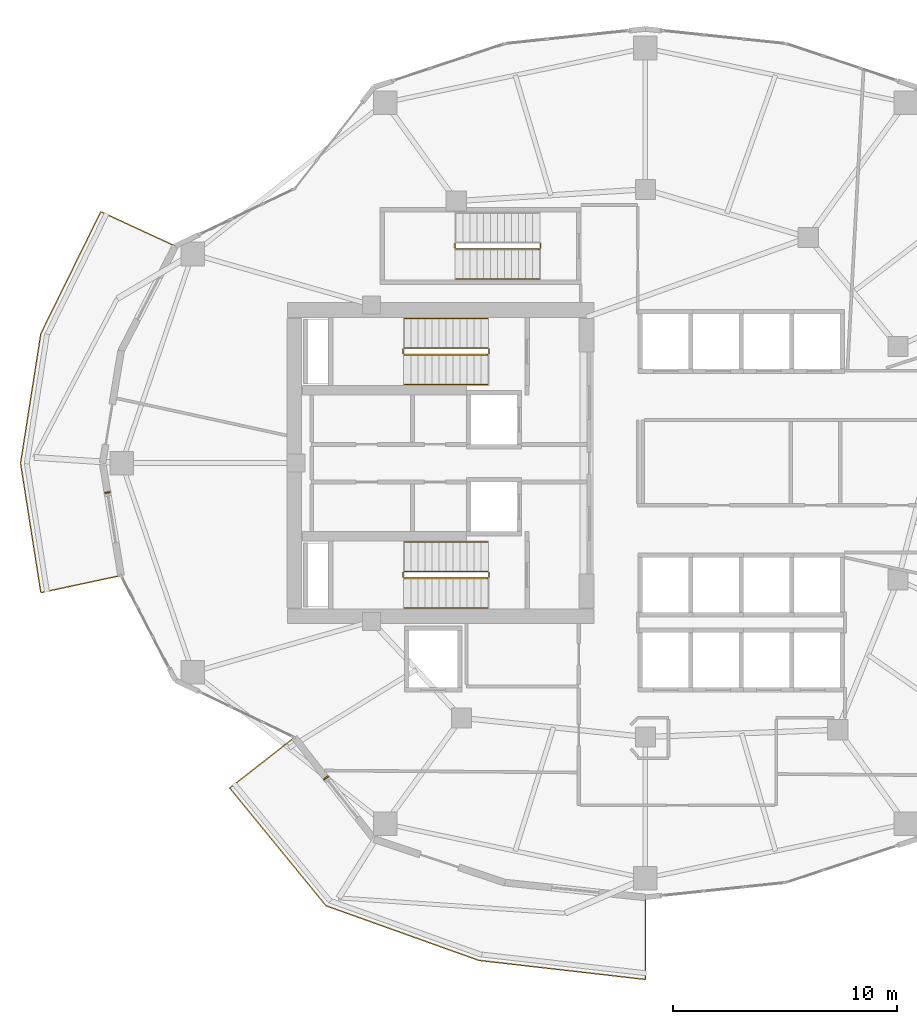
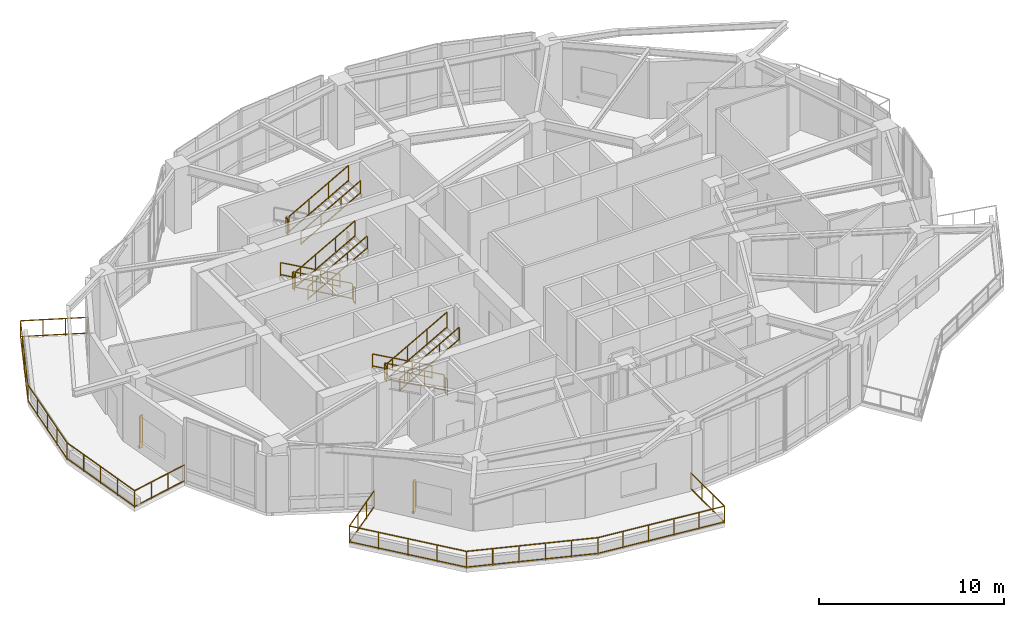
# One storey, part 14 of 16: 18 railings, 2 shading devices.
"""IFC4 building model written with IfcOpenShell, lengths in metres."""

import ifcopenshell
import ifcopenshell.guid

model = None  # the IFC model being written
_history = None  # IfcOwnerHistory: only IFC2X3 demands one
_inside = {}  # id of a spatial element -> (the spatial element, [elements in it])
_under = {}  # id of a project, library or spatial element -> (it, [spatial elements below it])
_declared = {}  # id of a project -> (the project, [libraries it declares])
_typed = {}  # id of a type object -> (the type object, [elements of that type])
_made_of = {}  # id of a material, layer set ... -> (it, [elements and type objects made of it])


def new_model(schema):
    """Start an empty IFC model of exactly this schema.

    Asked for "IFC4X3", IfcOpenShell would pick the latest addendum, in which some entities
    have other attributes; the version numbers below select the first issue.
    IFC2X3 requires an IfcOwnerHistory on every rooted entity: one is made here for all.
    """
    global model, _history
    if schema == "IFC4X3":
        model = ifcopenshell.file(schema_version=(4, 3, 0, 0))
    else:
        model = ifcopenshell.file(schema=schema)
    _inside.clear()
    _under.clear()
    _declared.clear()
    _typed.clear()
    _made_of.clear()
    _history = None
    if model.schema == "IFC2X3":
        org = make("IfcOrganization", Name="unknown")
        user = make(
            "IfcPersonAndOrganization",
            ThePerson=make("IfcPerson", FamilyName="unknown"),
            TheOrganization=org,
        )
        app = make(
            "IfcApplication",
            ApplicationDeveloper=org,
            Version="unknown",
            ApplicationFullName="unknown",
            ApplicationIdentifier="unknown",
        )
        _history = make(
            "IfcOwnerHistory",
            OwningUser=user,
            OwningApplication=app,
            ChangeAction="ADDED",
            CreationDate=0,
        )
    return model


def make(cls, **values):
    """One entity of the class cls with the attributes given. An attribute that is None is left unset."""
    return model.create_entity(
        cls, **{name: value for name, value in values.items() if value is not None}
    )


def rooted(cls, **values):
    """An entity with a GlobalId (a new one), such as an element, a storey or a relation."""
    return make(cls, GlobalId=ifcopenshell.guid.new(), OwnerHistory=_history, **values)


def si_unit(unit_type, name, prefix=None):
    """IfcSIUnit, for example si_unit("LENGTHUNIT", "METRE", prefix="MILLI")."""
    return make("IfcSIUnit", UnitType=unit_type, Prefix=prefix, Name=name)


def assignment(units):
    """IfcUnitAssignment: the units of a project."""
    return None if units is None else make("IfcUnitAssignment", Units=units)


def point(xyz):
    """IfcCartesianPoint."""
    return None if xyz is None else make("IfcCartesianPoint", Coordinates=xyz)


def direction(xyz):
    """IfcDirection."""
    return None if xyz is None else make("IfcDirection", DirectionRatios=xyz)


def frame(location, z_axis=None, x_axis=None):
    """IfcAxis2Placement3D, a coordinate frame: its origin and axes. An axis left out is left unset."""
    return make(
        "IfcAxis2Placement3D",
        Location=point(location),
        Axis=direction(z_axis),
        RefDirection=direction(x_axis),
    )


def frame_2d(location, x_axis=None):
    """IfcAxis2Placement2D, a coordinate frame in the plane: its origin and x axis."""
    return make(
        "IfcAxis2Placement2D", Location=point(location), RefDirection=direction(x_axis)
    )


def origin():
    """The frame at (0, 0, 0) with its axes left unset."""
    return frame((0.0, 0.0, 0.0))


def origin_2d():
    """The frame at (0, 0) in the plane with its x axis left unset."""
    return frame_2d((0.0, 0.0))


def place(relative_to, where):
    """IfcLocalPlacement: puts the frame where relative to a parent placement (None: the world)."""
    return make(
        "IfcLocalPlacement", PlacementRelTo=relative_to, RelativePlacement=where
    )


def context(
    kind, dimensions, precision=None, world=None, true_north=None, identifier=None
):
    """IfcGeometricRepresentationContext, for example the 3D "Model" context."""
    return make(
        "IfcGeometricRepresentationContext",
        ContextIdentifier=identifier,
        ContextType=kind,
        CoordinateSpaceDimension=dimensions,
        Precision=precision,
        WorldCoordinateSystem=world,
        TrueNorth=true_north,
    )


def subcontext(parent, identifier, kind, view, scale=None):
    """IfcGeometricRepresentationSubContext, for example "Body" below "Model"."""
    return make(
        "IfcGeometricRepresentationSubContext",
        ContextIdentifier=identifier,
        ContextType=kind,
        ParentContext=parent,
        TargetScale=scale,
        TargetView=view,
    )


def project(units=None, contexts=None):
    """IfcProject with its units and contexts."""
    return rooted(
        "IfcProject",
        Name="project",
        RepresentationContexts=contexts,
        UnitsInContext=assignment(units),
    )


def spatial(cls, under=None, at=None, **own):
    """A site, building, storey or space (cls), placed at a placement, below another one or the project."""
    s = rooted(cls, ObjectPlacement=at, **own)
    if under is not None:
        _under.setdefault(under.id(), (under, []))[1].append(s)
    return s


def profile(cls, at=None, kind="AREA", **sizes):
    """A parametric profile (cls). Its sizes go by their IFC names, for example OverallWidth=200.0."""
    return make(cls, ProfileType=kind, Position=at, **sizes)


def rectangle(**sizes):
    """IfcRectangleProfileDef."""
    return profile("IfcRectangleProfileDef", **sizes)


def extrude(swept, where, along, depth):
    """IfcExtrudedAreaSolid: the profile swept, set in the frame where, extruded along a direction by depth."""
    return make(
        "IfcExtrudedAreaSolid",
        SweptArea=swept,
        Position=where,
        ExtrudedDirection=direction(along),
        Depth=depth,
    )


def shape(context_of_items, identifier, shape_type, items):
    """IfcShapeRepresentation: the items that make up one representation, for example the "Body"."""
    return make(
        "IfcShapeRepresentation",
        ContextOfItems=context_of_items,
        RepresentationIdentifier=identifier,
        RepresentationType=shape_type,
        Items=items,
    )


def material(Name=None, Category=None):
    """IfcMaterial."""
    return make("IfcMaterial", Name=Name, Category=Category)


def made_of(thing, what):
    """Note that an element or type object is made of a material, layer set ...; save() writes the relation."""
    if what is not None:
        _made_of.setdefault(what.id(), (what, []))[1].append(thing)
    return thing


def type_object(cls, material=None, **own):
    """A type object (cls), such as IfcWallType, which elements share."""
    return made_of(rooted(cls, **own), material)


def element(
    cls,
    number,
    at=None,
    inside=None,
    cuts=None,
    type_object=None,
    material=None,
    context=None,
    identifier="Body",
    shape_type=None,
    held_by="IfcProductDefinitionShape",
    body=None,
    shapes=None,
    **own,
):
    """One element of the class cls, such as IfcWall. Its Tag is "e" and its number.

    at: its placement. inside: the storey or other place that contains it. cuts: it is an
    opening in that element (IfcRelVoidsElement). A single representation is given by context,
    identifier, shape_type and body (its items); several are given by shapes. held_by: the class
    of the entity that holds the representations. save() writes the other relations.
    """
    e = rooted(cls, Tag="e%d" % number, ObjectPlacement=at, **own)
    if body is not None:
        shapes = [shape(context, identifier, shape_type, body)]
    if shapes is not None:
        e.Representation = make(held_by, Representations=shapes)
    if inside is not None:
        _inside.setdefault(inside.id(), (inside, []))[1].append(e)
    if cuts is not None:
        rooted(
            "IfcRelVoidsElement", RelatingBuildingElement=cuts, RelatedOpeningElement=e
        )
    if type_object is not None:
        _typed.setdefault(type_object.id(), (type_object, []))[1].append(e)
    return made_of(e, material)


def aggregate(whole, parts):
    """IfcRelAggregates: a whole, such as a stair, and the parts it consists of."""
    return rooted("IfcRelAggregates", RelatingObject=whole, RelatedObjects=parts)


def save(model, path):
    """Write the relations noted so far, then the file.

    IfcRelAggregates (storeys below a building ...), IfcRelContainedInSpatialStructure (elements
    in a storey), IfcRelDefinesByType, IfcRelAssociatesMaterial and IfcRelDeclares: one each for
    every whole, place, type object, material and project.
    """
    for whole, parts in _under.values():
        aggregate(whole, parts)
    for where, things in _inside.values():
        rooted(
            "IfcRelContainedInSpatialStructure",
            RelatedElements=things,
            RelatingStructure=where,
        )
    for kind, things in _typed.values():
        rooted("IfcRelDefinesByType", RelatedObjects=things, RelatingType=kind)
    for what, things in _made_of.values():
        rooted("IfcRelAssociatesMaterial", RelatedObjects=things, RelatingMaterial=what)
    for by, libraries in _declared.values():
        rooted("IfcRelDeclares", RelatingContext=by, RelatedDefinitions=libraries)
    model.write(path)


model = new_model("IFC4")

# Units and contexts
model_context = context("Model", 3, precision=1e-05, world=origin(), true_north=direction((0.0, 1.0)))
body_context = subcontext(model_context, "Body", "Model", "MODEL_VIEW")
ifc_project = project(units=[si_unit("LENGTHUNIT", "METRE"), si_unit("AREAUNIT", "SQUARE_METRE"), si_unit("VOLUMEUNIT", "CUBIC_METRE"), si_unit("PLANEANGLEUNIT", "RADIAN"), si_unit("MASSUNIT", "GRAM", prefix="KILO")], contexts=[model_context])

# Site, building, storey
site_placement = place(None, origin())
site = spatial("IfcSite", under=ifc_project, at=site_placement, CompositionType="ELEMENT")
building_placement = place(site_placement, origin())
building = spatial("IfcBuilding", under=site, at=building_placement, Name="Kolvaren Gate Tower and Convention Centre", CompositionType="ELEMENT")
storey_placement = place(building_placement, frame((0.0, 0.0, 100.800048828125)))
storey = spatial("IfcBuildingStorey", under=building, at=storey_placement, Name="L24", CompositionType="ELEMENT", Elevation=100.800048828125)

# Railings
ifc_material_1 = material(Name="Brushed Stainless Steel Grade 316L", Category="steel")
railing_type_1 = type_object("IfcRailingType", Name="ARCH-RL-GUARD-1150", PredefinedType="GUARDRAIL", material=ifc_material_1)
railing_1_placement = place(storey_placement, frame((23.10009765625, 32.1298828125, 0.173095703125)))
element("IfcRailing", 1, at=railing_1_placement, inside=storey, type_object=railing_type_1, Name="L24 ST-T1 stair guard 1", PredefinedType="GUARDRAIL", context=body_context, shape_type="SweptSolid", body=[
    extrude(rectangle(XDim=0.048095703125, YDim=0.048095703125, at=origin_2d()), frame((0.0, 0.0, 1.076171875), z_axis=(-0.873147225507, 0.0, 0.487456585338), x_axis=(0.0, -1.0, 0.0)), (0.0, 0.0, 1.0), 4.2607421875),
    extrude(rectangle(XDim=0.048095703125, YDim=0.048095703125, at=origin_2d()), frame((0.0, 0.0, 0.083984375), z_axis=(-0.873147225507, 0.0, 0.487456585338), x_axis=(0.0, -1.0, 0.0)), (0.0, 0.0, 1.0), 4.2607421875),
    extrude(rectangle(XDim=0.0419921875, YDim=0.0419921875, at=origin_2d()), origin(), (0.0, 0.0, 1.0), 1.050048828125),
    extrude(rectangle(XDim=0.0419921875, YDim=0.0419921875, at=origin_2d()), frame((-3.72021484375, 0.0, 2.076904296875)), (0.0, 0.0, 1.0), 1.050048828125),
    extrude(rectangle(XDim=0.0419921875, YDim=0.0419921875, at=origin_2d()), frame((-1.239990234375, 0.0, 0.6923828125)), (0.0, 0.0, 1.0), 1.050048828125),
    extrude(rectangle(XDim=0.0419921875, YDim=0.0419921875, at=origin_2d()), frame((-2.480224609375, 0.0, 1.384521484375)), (0.0, 0.0, 1.0), 1.050048828125),
])
railing_2_placement = place(storey_placement, frame((19.330078125, 32.080078125, 2.25)))
element("IfcRailing", 2, at=railing_2_placement, inside=storey, type_object=railing_type_1, Name="L24 ST-T1 stair guard 2", PredefinedType="GUARDRAIL", context=body_context, shape_type="SweptSolid", body=[
    extrude(rectangle(XDim=0.048095703125, YDim=0.048095703125, at=origin_2d()), frame((0.0, 0.0, 1.076171875), z_axis=(0.0, -1.0, 0.0), x_axis=(1.0, 0.0, 0.0)), (0.0, 0.0, 1.0), 0.2001953125),
    extrude(rectangle(XDim=0.048095703125, YDim=0.048095703125, at=origin_2d()), frame((0.0, 0.0, 0.083984375), z_axis=(0.0, -1.0, 0.0), x_axis=(1.0, 0.0, 0.0)), (0.0, 0.0, 1.0), 0.2001953125),
    extrude(rectangle(XDim=0.0419921875, YDim=0.0419921875, at=origin_2d()), origin(), (0.0, 0.0, 1.0), 1.050048828125),
    extrude(rectangle(XDim=0.0419921875, YDim=0.0419921875, at=origin_2d()), frame((0.0, -0.2001953125, 0.0)), (0.0, 0.0, 1.0), 1.050048828125),
])
railing_3_placement = place(storey_placement, frame((19.3798828125, 31.830078125, 2.423095703125)))
element("IfcRailing", 3, at=railing_3_placement, inside=storey, type_object=railing_type_1, Name="L24 ST-T1 stair guard 3", PredefinedType="GUARDRAIL", context=body_context, shape_type="SweptSolid", body=[
    extrude(rectangle(XDim=0.048095703125, YDim=0.048095703125, at=origin_2d()), frame((0.0, 0.0, 1.076171875), z_axis=(0.873147225507, 0.0, 0.487456585338), x_axis=(0.0, 1.0, 0.0)), (0.0, 0.0, 1.0), 4.2607421875),
    extrude(rectangle(XDim=0.048095703125, YDim=0.048095703125, at=origin_2d()), frame((0.0, 0.0, 0.083984375), z_axis=(0.873147225507, 0.0, 0.487456585338), x_axis=(0.0, 1.0, 0.0)), (0.0, 0.0, 1.0), 4.2607421875),
    extrude(rectangle(XDim=0.0419921875, YDim=0.0419921875, at=origin_2d()), origin(), (0.0, 0.0, 1.0), 1.050048828125),
    extrude(rectangle(XDim=0.0419921875, YDim=0.0419921875, at=origin_2d()), frame((3.72021484375, 0.0, 2.076904296875)), (0.0, 0.0, 1.0), 1.050048828125),
    extrude(rectangle(XDim=0.0419921875, YDim=0.0419921875, at=origin_2d()), frame((1.239990234375, 0.0, 0.6923828125)), (0.0, 0.0, 1.0), 1.050048828125),
    extrude(rectangle(XDim=0.0419921875, YDim=0.0419921875, at=origin_2d()), frame((2.480224609375, 0.0, 1.384521484375)), (0.0, 0.0, 1.0), 1.050048828125),
])
railing_4_placement = place(storey_placement, frame((23.14990234375, 32.080078125, 0.0)))
element("IfcRailing", 4, at=railing_4_placement, inside=storey, type_object=railing_type_1, Name="L24 ST-T1 stair guard 4", PredefinedType="GUARDRAIL", context=body_context, shape_type="SweptSolid", body=[
    extrude(rectangle(XDim=0.048095703125, YDim=0.048095703125, at=origin_2d()), frame((0.0, 0.0, 1.076171875), z_axis=(0.0, -1.0, 0.0), x_axis=(1.0, 0.0, 0.0)), (0.0, 0.0, 1.0), 0.2001953125),
    extrude(rectangle(XDim=0.048095703125, YDim=0.048095703125, at=origin_2d()), frame((0.0, 0.0, 0.083984375), z_axis=(0.0, -1.0, 0.0), x_axis=(1.0, 0.0, 0.0)), (0.0, 0.0, 1.0), 0.2001953125),
    extrude(rectangle(XDim=0.0419921875, YDim=0.0419921875, at=origin_2d()), origin(), (0.0, 0.0, 1.0), 1.050048828125),
    extrude(rectangle(XDim=0.0419921875, YDim=0.0419921875, at=origin_2d()), frame((0.0, -0.2001953125, 0.0)), (0.0, 0.0, 1.0), 1.050048828125),
])
railing_5_placement = place(storey_placement, frame((23.10009765625, 22.169921875, 0.173095703125)))
element("IfcRailing", 5, at=railing_5_placement, inside=storey, type_object=railing_type_1, Name="L24 ST-T2 stair guard 1", PredefinedType="GUARDRAIL", context=body_context, shape_type="SweptSolid", body=[
    extrude(rectangle(XDim=0.048095703125, YDim=0.048095703125, at=origin_2d()), frame((0.0, 0.0, 1.076171875), z_axis=(-0.873147225507, 0.0, 0.487456585338), x_axis=(0.0, -1.0, 0.0)), (0.0, 0.0, 1.0), 4.2607421875),
    extrude(rectangle(XDim=0.048095703125, YDim=0.048095703125, at=origin_2d()), frame((0.0, 0.0, 0.083984375), z_axis=(-0.873147225507, 0.0, 0.487456585338), x_axis=(0.0, -1.0, 0.0)), (0.0, 0.0, 1.0), 4.2607421875),
    extrude(rectangle(XDim=0.0419921875, YDim=0.0419921875, at=origin_2d()), origin(), (0.0, 0.0, 1.0), 1.050048828125),
    extrude(rectangle(XDim=0.0419921875, YDim=0.0419921875, at=origin_2d()), frame((-3.72021484375, 0.0, 2.076904296875)), (0.0, 0.0, 1.0), 1.050048828125),
    extrude(rectangle(XDim=0.0419921875, YDim=0.0419921875, at=origin_2d()), frame((-1.239990234375, 0.0, 0.6923828125)), (0.0, 0.0, 1.0), 1.050048828125),
    extrude(rectangle(XDim=0.0419921875, YDim=0.0419921875, at=origin_2d()), frame((-2.480224609375, 0.0, 1.384521484375)), (0.0, 0.0, 1.0), 1.050048828125),
])
railing_6_placement = place(storey_placement, frame((19.330078125, 22.1201171875, 2.25)))
element("IfcRailing", 6, at=railing_6_placement, inside=storey, type_object=railing_type_1, Name="L24 ST-T2 stair guard 2", PredefinedType="GUARDRAIL", context=body_context, shape_type="SweptSolid", body=[
    extrude(rectangle(XDim=0.048095703125, YDim=0.048095703125, at=origin_2d()), frame((0.0, 0.0, 1.076171875), z_axis=(0.0, -1.0, 0.0), x_axis=(1.0, 0.0, 0.0)), (0.0, 0.0, 1.0), 0.2001953125),
    extrude(rectangle(XDim=0.048095703125, YDim=0.048095703125, at=origin_2d()), frame((0.0, 0.0, 0.083984375), z_axis=(0.0, -1.0, 0.0), x_axis=(1.0, 0.0, 0.0)), (0.0, 0.0, 1.0), 0.2001953125),
    extrude(rectangle(XDim=0.0419921875, YDim=0.0419921875, at=origin_2d()), origin(), (0.0, 0.0, 1.0), 1.050048828125),
    extrude(rectangle(XDim=0.0419921875, YDim=0.0419921875, at=origin_2d()), frame((0.0, -0.2001953125, 0.0)), (0.0, 0.0, 1.0), 1.050048828125),
])
railing_7_placement = place(storey_placement, frame((19.3798828125, 21.8701171875, 2.423095703125)))
element("IfcRailing", 7, at=railing_7_placement, inside=storey, type_object=railing_type_1, Name="L24 ST-T2 stair guard 3", PredefinedType="GUARDRAIL", context=body_context, shape_type="SweptSolid", body=[
    extrude(rectangle(XDim=0.048095703125, YDim=0.048095703125, at=origin_2d()), frame((0.0, 0.0, 1.076171875), z_axis=(0.873147225507, 0.0, 0.487456585338), x_axis=(0.0, 1.0, 0.0)), (0.0, 0.0, 1.0), 4.2607421875),
    extrude(rectangle(XDim=0.048095703125, YDim=0.048095703125, at=origin_2d()), frame((0.0, 0.0, 0.083984375), z_axis=(0.873147225507, 0.0, 0.487456585338), x_axis=(0.0, 1.0, 0.0)), (0.0, 0.0, 1.0), 4.2607421875),
    extrude(rectangle(XDim=0.0419921875, YDim=0.0419921875, at=origin_2d()), origin(), (0.0, 0.0, 1.0), 1.050048828125),
    extrude(rectangle(XDim=0.0419921875, YDim=0.0419921875, at=origin_2d()), frame((3.72021484375, 0.0, 2.076904296875)), (0.0, 0.0, 1.0), 1.050048828125),
    extrude(rectangle(XDim=0.0419921875, YDim=0.0419921875, at=origin_2d()), frame((1.239990234375, 0.0, 0.6923828125)), (0.0, 0.0, 1.0), 1.050048828125),
    extrude(rectangle(XDim=0.0419921875, YDim=0.0419921875, at=origin_2d()), frame((2.480224609375, 0.0, 1.384521484375)), (0.0, 0.0, 1.0), 1.050048828125),
])
railing_8_placement = place(storey_placement, frame((23.14990234375, 22.1201171875, 0.0)))
element("IfcRailing", 8, at=railing_8_placement, inside=storey, type_object=railing_type_1, Name="L24 ST-T2 stair guard 4", PredefinedType="GUARDRAIL", context=body_context, shape_type="SweptSolid", body=[
    extrude(rectangle(XDim=0.048095703125, YDim=0.048095703125, at=origin_2d()), frame((0.0, 0.0, 1.076171875), z_axis=(0.0, -1.0, 0.0), x_axis=(1.0, 0.0, 0.0)), (0.0, 0.0, 1.0), 0.2001953125),
    extrude(rectangle(XDim=0.048095703125, YDim=0.048095703125, at=origin_2d()), frame((0.0, 0.0, 0.083984375), z_axis=(0.0, -1.0, 0.0), x_axis=(1.0, 0.0, 0.0)), (0.0, 0.0, 1.0), 0.2001953125),
    extrude(rectangle(XDim=0.0419921875, YDim=0.0419921875, at=origin_2d()), origin(), (0.0, 0.0, 1.0), 1.050048828125),
    extrude(rectangle(XDim=0.0419921875, YDim=0.0419921875, at=origin_2d()), frame((0.0, -0.2001953125, 0.0)), (0.0, 0.0, 1.0), 1.050048828125),
])
railing_9_placement = place(storey_placement, frame((21.6298828125, 36.780029296875, 2.25)))
element("IfcRailing", 9, at=railing_9_placement, inside=storey, type_object=railing_type_1, Name="L24 ST-T3 stair guard 2", PredefinedType="GUARDRAIL", context=body_context, shape_type="SweptSolid", body=[
    extrude(rectangle(XDim=0.048095703125, YDim=0.048095703125, at=origin_2d()), frame((0.0, 0.0, 1.076171875), z_axis=(0.0, -1.0, 0.0), x_axis=(1.0, 0.0, 0.0)), (0.0, 0.0, 1.0), 0.199951171875),
    extrude(rectangle(XDim=0.048095703125, YDim=0.048095703125, at=origin_2d()), frame((0.0, 0.0, 0.083984375), z_axis=(0.0, -1.0, 0.0), x_axis=(1.0, 0.0, 0.0)), (0.0, 0.0, 1.0), 0.199951171875),
    extrude(rectangle(XDim=0.0419921875, YDim=0.0419921875, at=origin_2d()), origin(), (0.0, 0.0, 1.0), 1.050048828125),
    extrude(rectangle(XDim=0.0419921875, YDim=0.0419921875, at=origin_2d()), frame((0.0, -0.199951171875, 0.0)), (0.0, 0.0, 1.0), 1.050048828125),
])
railing_10_placement = place(storey_placement, frame((21.679931640625, 36.530029296875, 2.423095703125)))
element("IfcRailing", 10, at=railing_10_placement, inside=storey, type_object=railing_type_1, Name="L24 ST-T3 stair guard 3", PredefinedType="GUARDRAIL", context=body_context, shape_type="SweptSolid", body=[
    extrude(rectangle(XDim=0.048095703125, YDim=0.048095703125, at=origin_2d()), frame((0.0, 0.0, 1.076171875), z_axis=(0.873133609054, 0.0, 0.487480974747), x_axis=(0.0, 1.0, 0.0)), (0.0, 0.0, 1.0), 4.260498046875),
    extrude(rectangle(XDim=0.048095703125, YDim=0.048095703125, at=origin_2d()), frame((0.0, 0.0, 0.083984375), z_axis=(0.873133609054, 0.0, 0.487480974747), x_axis=(0.0, 1.0, 0.0)), (0.0, 0.0, 1.0), 4.260498046875),
    extrude(rectangle(XDim=0.0419921875, YDim=0.0419921875, at=origin_2d()), origin(), (0.0, 0.0, 1.0), 1.050048828125),
    extrude(rectangle(XDim=0.0419921875, YDim=0.0419921875, at=origin_2d()), frame((3.719970703125, 0.0, 2.076904296875)), (0.0, 0.0, 1.0), 1.050048828125),
    extrude(rectangle(XDim=0.0419921875, YDim=0.0419921875, at=origin_2d()), frame((1.239990234375, 0.0, 0.6923828125)), (0.0, 0.0, 1.0), 1.050048828125),
    extrude(rectangle(XDim=0.0419921875, YDim=0.0419921875, at=origin_2d()), frame((2.47998046875, 0.0, 1.384521484375)), (0.0, 0.0, 1.0), 1.050048828125),
])
railing_11_placement = place(storey_placement, frame((25.449951171875, 36.780029296875, 0.0)))
element("IfcRailing", 11, at=railing_11_placement, inside=storey, type_object=railing_type_1, Name="L24 ST-T3 stair guard 4", PredefinedType="GUARDRAIL", context=body_context, shape_type="SweptSolid", body=[
    extrude(rectangle(XDim=0.048095703125, YDim=0.048095703125, at=origin_2d()), frame((0.0, 0.0, 1.076171875), z_axis=(0.0, -1.0, 0.0), x_axis=(1.0, 0.0, 0.0)), (0.0, 0.0, 1.0), 0.199951171875),
    extrude(rectangle(XDim=0.048095703125, YDim=0.048095703125, at=origin_2d()), frame((0.0, 0.0, 0.083984375), z_axis=(0.0, -1.0, 0.0), x_axis=(1.0, 0.0, 0.0)), (0.0, 0.0, 1.0), 0.199951171875),
    extrude(rectangle(XDim=0.0419921875, YDim=0.0419921875, at=origin_2d()), origin(), (0.0, 0.0, 1.0), 1.050048828125),
    extrude(rectangle(XDim=0.0419921875, YDim=0.0419921875, at=origin_2d()), frame((0.0, -0.199951171875, 0.0)), (0.0, 0.0, 1.0), 1.050048828125),
])
railing_12_placement = place(storey_placement, frame((9.177978515625, 36.675048828125, 0.0)))
element("IfcRailing", 12, at=railing_12_placement, inside=storey, type_object=railing_type_1, Name="Tower L24 Terrace Perimeter Guardrail GR-2", PredefinedType="GUARDRAIL", context=body_context, shape_type="SweptSolid", body=[
    extrude(rectangle(XDim=0.048095703125, YDim=0.048095703125, at=origin_2d()), frame((-0.025390625, 0.01171875, 1.1259765625), z_axis=(-0.907846116663, 0.419303503993, 0.0), x_axis=(-0.419303503993, -0.907846116663, 0.0)), (0.0, 0.0, 1.0), 3.60400390625),
    extrude(rectangle(XDim=0.048095703125, YDim=0.048095703125, at=origin_2d()), frame((-0.025390625, 0.01171875, 0.083984375), z_axis=(-0.907846116663, 0.419303503993, 0.0), x_axis=(-0.419303503993, -0.907846116663, 0.0)), (0.0, 0.0, 1.0), 3.60400390625),
    extrude(rectangle(XDim=0.048095703125, YDim=0.048095703125, at=origin_2d()), frame((-3.335205078125, 1.509521484375, 1.1259765625), z_axis=(-0.441237167293, -0.897390529368, 0.0), x_axis=(0.897390529368, -0.441237167293, 0.0)), (0.0, 0.0, 1.0), 5.999755859375),
    extrude(rectangle(XDim=0.048095703125, YDim=0.048095703125, at=origin_2d()), frame((-3.335205078125, 1.509521484375, 0.083984375), z_axis=(-0.441237167293, -0.897390529368, 0.0), x_axis=(0.897390529368, -0.441237167293, 0.0)), (0.0, 0.0, 1.0), 5.999755859375),
    extrude(rectangle(XDim=0.048095703125, YDim=0.048095703125, at=origin_2d()), frame((-5.999267578125, -3.927490234375, 1.1259765625), z_axis=(-0.154903030247, -0.987929679289, 0.0), x_axis=(0.987929679289, -0.154903030247, 0.0)), (0.0, 0.0, 1.0), 5.78955078125),
    extrude(rectangle(XDim=0.048095703125, YDim=0.048095703125, at=origin_2d()), frame((-5.999267578125, -3.927490234375, 0.083984375), z_axis=(-0.154903030247, -0.987929679289, 0.0), x_axis=(0.987929679289, -0.154903030247, 0.0)), (0.0, 0.0, 1.0), 5.78955078125),
    extrude(rectangle(XDim=0.048095703125, YDim=0.048095703125, at=origin_2d()), frame((-6.89599609375, -9.70263671875, 1.1259765625), z_axis=(0.154903030247, -0.987929679289, 0.0), x_axis=(0.987929679289, 0.154903030247, 0.0)), (0.0, 0.0, 1.0), 5.78955078125),
    extrude(rectangle(XDim=0.048095703125, YDim=0.048095703125, at=origin_2d()), frame((-6.89599609375, -9.70263671875, 0.083984375), z_axis=(0.154903030247, -0.987929679289, 0.0), x_axis=(0.987929679289, 0.154903030247, 0.0)), (0.0, 0.0, 1.0), 5.78955078125),
    extrude(rectangle(XDim=0.048095703125, YDim=0.048095703125, at=origin_2d()), frame((-5.967529296875, -15.4443359375, 1.1259765625), z_axis=(0.977788745232, 0.209592866525, 0.0), x_axis=(-0.209592866525, 0.977788745232, 0.0)), (0.0, 0.0, 1.0), 3.603759765625),
    extrude(rectangle(XDim=0.048095703125, YDim=0.048095703125, at=origin_2d()), frame((-5.967529296875, -15.4443359375, 0.083984375), z_axis=(0.977788745232, 0.209592866525, 0.0), x_axis=(-0.209592866525, 0.977788745232, 0.0)), (0.0, 0.0, 1.0), 3.603759765625),
    extrude(rectangle(XDim=0.0419921875, YDim=0.0419921875, at=origin_2d()), origin(), (0.0, 0.0, 1.0), 1.14990234375),
    extrude(rectangle(XDim=0.0419921875, YDim=0.0419921875, at=origin_2d()), frame((-3.32275390625, 1.53466796875, 0.0)), (0.0, 0.0, 1.0), 1.14990234375),
    extrude(rectangle(XDim=0.0419921875, YDim=0.0419921875, at=origin_2d()), frame((-1.107666015625, 0.511474609375, 0.0)), (0.0, 0.0, 1.0), 1.099853515625),
    extrude(rectangle(XDim=0.0419921875, YDim=0.0419921875, at=origin_2d()), frame((-2.215087890625, 1.023193359375, 0.0)), (0.0, 0.0, 1.0), 1.099853515625),
    extrude(rectangle(XDim=0.0419921875, YDim=0.0419921875, at=origin_2d()), frame((-5.994873046875, -3.89990234375, 0.0)), (0.0, 0.0, 1.0), 1.14990234375),
    extrude(rectangle(XDim=0.0419921875, YDim=0.0419921875, at=origin_2d()), frame((-3.99072265625, 0.176025390625, 0.0)), (0.0, 0.0, 1.0), 1.099853515625),
    extrude(rectangle(XDim=0.0419921875, YDim=0.0419921875, at=origin_2d()), frame((-4.65869140625, -1.1826171875, 0.0)), (0.0, 0.0, 1.0), 1.099853515625),
    extrude(rectangle(XDim=0.0419921875, YDim=0.0419921875, at=origin_2d()), frame((-5.326904296875, -2.541259765625, 0.0)), (0.0, 0.0, 1.0), 1.099853515625),
    extrude(rectangle(XDim=0.0419921875, YDim=0.0419921875, at=origin_2d()), frame((-6.900390625, -9.675048828125, 0.0)), (0.0, 0.0, 1.0), 1.14990234375),
    extrude(rectangle(XDim=0.0419921875, YDim=0.0419921875, at=origin_2d()), frame((-6.22119140625, -5.34375, 0.0)), (0.0, 0.0, 1.0), 1.099853515625),
    extrude(rectangle(XDim=0.0419921875, YDim=0.0419921875, at=origin_2d()), frame((-6.44775390625, -6.78759765625, 0.0)), (0.0, 0.0, 1.0), 1.099853515625),
    extrude(rectangle(XDim=0.0419921875, YDim=0.0419921875, at=origin_2d()), frame((-6.674072265625, -8.231201171875, 0.0)), (0.0, 0.0, 1.0), 1.099853515625),
    extrude(rectangle(XDim=0.0419921875, YDim=0.0419921875, at=origin_2d()), frame((-5.994873046875, -15.4501953125, 0.0)), (0.0, 0.0, 1.0), 1.14990234375),
    extrude(rectangle(XDim=0.0419921875, YDim=0.0419921875, at=origin_2d()), frame((-6.674072265625, -11.118896484375, 0.0)), (0.0, 0.0, 1.0), 1.099853515625),
    extrude(rectangle(XDim=0.0419921875, YDim=0.0419921875, at=origin_2d()), frame((-6.44775390625, -12.5625, 0.0)), (0.0, 0.0, 1.0), 1.099853515625),
    extrude(rectangle(XDim=0.0419921875, YDim=0.0419921875, at=origin_2d()), frame((-6.22119140625, -14.00634765625, 0.0)), (0.0, 0.0, 1.0), 1.099853515625),
    extrude(rectangle(XDim=0.0419921875, YDim=0.0419921875, at=origin_2d()), frame((-2.416259765625, -14.68310546875, 0.0)), (0.0, 0.0, 1.0), 1.14990234375),
    extrude(rectangle(XDim=0.0419921875, YDim=0.0419921875, at=origin_2d()), frame((-4.802001953125, -15.194580078125, 0.0)), (0.0, 0.0, 1.0), 1.099853515625),
    extrude(rectangle(XDim=0.0419921875, YDim=0.0419921875, at=origin_2d()), frame((-3.609130859375, -14.938720703125, 0.0)), (0.0, 0.0, 1.0), 1.099853515625),
])
railing_13_placement = place(storey_placement, frame((14.481201171875, 14.777099609375, 0.0)))
element("IfcRailing", 13, at=railing_13_placement, inside=storey, type_object=railing_type_1, Name="Tower L24 Terrace Perimeter Guardrail GR-3", PredefinedType="GUARDRAIL", context=body_context, shape_type="SweptSolid", body=[
    extrude(rectangle(XDim=0.048095703125, YDim=0.048095703125, at=origin_2d()), frame((-0.022216796875, -0.017333984375, 1.1259765625), z_axis=(-0.787963688807, -0.615721710776, 0.0), x_axis=(0.615721710776, -0.787963688807, 0.0)), (0.0, 0.0, 1.0), 3.603759765625),
    extrude(rectangle(XDim=0.048095703125, YDim=0.048095703125, at=origin_2d()), frame((-0.022216796875, -0.017333984375, 0.083984375), z_axis=(-0.787963688807, -0.615721710776, 0.0), x_axis=(0.615721710776, -0.787963688807, 0.0)), (0.0, 0.0, 1.0), 3.603759765625),
    extrude(rectangle(XDim=0.048095703125, YDim=0.048095703125, at=origin_2d()), frame((-2.865966796875, -2.275146484375, 1.1259765625), z_axis=(0.633002467947, -0.77414977593, 0.0), x_axis=(0.77414977593, 0.633002467947, 0.0)), (0.0, 0.0, 1.0), 6.724365234375),
    extrude(rectangle(XDim=0.048095703125, YDim=0.048095703125, at=origin_2d()), frame((-2.865966796875, -2.275146484375, 0.083984375), z_axis=(0.633002467947, -0.77414977593, 0.0), x_axis=(0.77414977593, 0.633002467947, 0.0)), (0.0, 0.0, 1.0), 6.724365234375),
    extrude(rectangle(XDim=0.048095703125, YDim=0.048095703125, at=origin_2d()), frame((1.4345703125, -7.511962890625, 1.1259765625), z_axis=(0.941628873241, -0.336652736627, 0.0), x_axis=(0.336652736627, 0.941628873241, 0.0)), (0.0, 0.0, 1.0), 7.17919921875),
    extrude(rectangle(XDim=0.048095703125, YDim=0.048095703125, at=origin_2d()), frame((1.4345703125, -7.511962890625, 0.083984375), z_axis=(0.941628873241, -0.336652736627, 0.0), x_axis=(0.336652736627, 0.941628873241, 0.0)), (0.0, 0.0, 1.0), 7.17919921875),
    extrude(rectangle(XDim=0.048095703125, YDim=0.048095703125, at=origin_2d()), frame((8.2490234375, -9.94140625, 1.1259765625), z_axis=(0.993523927361, -0.113623086387, 0.0), x_axis=(0.113623086387, 0.993523927361, 0.0)), (0.0, 0.0, 1.0), 7.414794921875),
    extrude(rectangle(XDim=0.048095703125, YDim=0.048095703125, at=origin_2d()), frame((8.2490234375, -9.94140625, 0.083984375), z_axis=(0.993523927361, -0.113623086387, 0.0), x_axis=(0.113623086387, 0.993523927361, 0.0)), (0.0, 0.0, 1.0), 7.414794921875),
    extrude(rectangle(XDim=0.048095703125, YDim=0.048095703125, at=origin_2d()), frame((15.643798828125, -10.759033203125, 1.1259765625), z_axis=(0.0, 1.0, 0.0), x_axis=(-1.0, 0.0, 0.0)), (0.0, 0.0, 1.0), 3.603759765625),
    extrude(rectangle(XDim=0.048095703125, YDim=0.048095703125, at=origin_2d()), frame((15.643798828125, -10.759033203125, 0.083984375), z_axis=(0.0, 1.0, 0.0), x_axis=(-1.0, 0.0, 0.0)), (0.0, 0.0, 1.0), 3.603759765625),
    extrude(rectangle(XDim=0.0419921875, YDim=0.0419921875, at=origin_2d()), origin(), (0.0, 0.0, 1.0), 1.14990234375),
    extrude(rectangle(XDim=0.0419921875, YDim=0.0419921875, at=origin_2d()), frame((-2.8837890625, -2.25341796875, 0.0)), (0.0, 0.0, 1.0), 1.14990234375),
    extrude(rectangle(XDim=0.0419921875, YDim=0.0419921875, at=origin_2d()), frame((-0.961181640625, -0.751220703125, 0.0)), (0.0, 0.0, 1.0), 1.099853515625),
    extrude(rectangle(XDim=0.0419921875, YDim=0.0419921875, at=origin_2d()), frame((-1.922607421875, -1.502197265625, 0.0)), (0.0, 0.0, 1.0), 1.099853515625),
    extrude(rectangle(XDim=0.0419921875, YDim=0.0419921875, at=origin_2d()), frame((1.408203125, -7.50244140625, 0.0)), (0.0, 0.0, 1.0), 1.14990234375),
    extrude(rectangle(XDim=0.0419921875, YDim=0.0419921875, at=origin_2d()), frame((-1.810791015625, -3.565673828125, 0.0)), (0.0, 0.0, 1.0), 1.099853515625),
    extrude(rectangle(XDim=0.0419921875, YDim=0.0419921875, at=origin_2d()), frame((-0.73779296875, -4.8779296875, 0.0)), (0.0, 0.0, 1.0), 1.099853515625),
    extrude(rectangle(XDim=0.0419921875, YDim=0.0419921875, at=origin_2d()), frame((0.335205078125, -6.190185546875, 0.0)), (0.0, 0.0, 1.0), 1.099853515625),
    extrude(rectangle(XDim=0.0419921875, YDim=0.0419921875, at=origin_2d()), frame((8.22119140625, -9.938232421875, 0.0)), (0.0, 0.0, 1.0), 1.14990234375),
    extrude(rectangle(XDim=0.0419921875, YDim=0.0419921875, at=origin_2d()), frame((2.770751953125, -7.989501953125, 0.0)), (0.0, 0.0, 1.0), 1.099853515625),
    extrude(rectangle(XDim=0.0419921875, YDim=0.0419921875, at=origin_2d()), frame((4.13330078125, -8.476806640625, 0.0)), (0.0, 0.0, 1.0), 1.099853515625),
    extrude(rectangle(XDim=0.0419921875, YDim=0.0419921875, at=origin_2d()), frame((5.49609375, -8.9638671875, 0.0)), (0.0, 0.0, 1.0), 1.099853515625),
    extrude(rectangle(XDim=0.0419921875, YDim=0.0419921875, at=origin_2d()), frame((6.858642578125, -9.451171875, 0.0)), (0.0, 0.0, 1.0), 1.099853515625),
    extrude(rectangle(XDim=0.0419921875, YDim=0.0419921875, at=origin_2d()), frame((15.643798828125, -10.787109375, 0.0)), (0.0, 0.0, 1.0), 1.14990234375),
    extrude(rectangle(XDim=0.0419921875, YDim=0.0419921875, at=origin_2d()), frame((9.705810546875, -10.10791015625, 0.0)), (0.0, 0.0, 1.0), 1.099853515625),
    extrude(rectangle(XDim=0.0419921875, YDim=0.0419921875, at=origin_2d()), frame((11.190185546875, -10.27783203125, 0.0)), (0.0, 0.0, 1.0), 1.099853515625),
    extrude(rectangle(XDim=0.0419921875, YDim=0.0419921875, at=origin_2d()), frame((12.6748046875, -10.447509765625, 0.0)), (0.0, 0.0, 1.0), 1.099853515625),
    extrude(rectangle(XDim=0.0419921875, YDim=0.0419921875, at=origin_2d()), frame((14.1591796875, -10.617431640625, 0.0)), (0.0, 0.0, 1.0), 1.099853515625),
    extrude(rectangle(XDim=0.0419921875, YDim=0.0419921875, at=origin_2d()), frame((15.643798828125, -7.127197265625, 0.0)), (0.0, 0.0, 1.0), 1.14990234375),
    extrude(rectangle(XDim=0.0419921875, YDim=0.0419921875, at=origin_2d()), frame((15.643798828125, -9.567138671875, 0.0)), (0.0, 0.0, 1.0), 1.099853515625),
    extrude(rectangle(XDim=0.0419921875, YDim=0.0419921875, at=origin_2d()), frame((15.643798828125, -8.34716796875, 0.0)), (0.0, 0.0, 1.0), 1.099853515625),
])
railing_type_2 = type_object("IfcRailingType", Name="ARCH-RL-HANDRAIL-920", PredefinedType="HANDRAIL", material=ifc_material_1)
railing_14_placement = place(storey_placement, frame((23.10009765625, 33.449951171875, 0.173095703125)))
element("IfcRailing", 14, at=railing_14_placement, inside=storey, type_object=railing_type_2, Name="L24 ST-T1 stair handrail 1", PredefinedType="HANDRAIL", context=body_context, shape_type="SweptSolid", body=[
    extrude(rectangle(XDim=0.048095703125, YDim=0.048095703125, at=origin_2d()), frame((0.0, 0.0, 0.8759765625), z_axis=(-0.873147225507, 0.0, 0.487456585338), x_axis=(0.0, -1.0, 0.0)), (0.0, 0.0, 1.0), 4.2607421875),
    extrude(rectangle(XDim=0.048095703125, YDim=0.048095703125, at=origin_2d()), frame((0.0, 0.0, 0.083984375), z_axis=(-0.873147225507, 0.0, 0.487456585338), x_axis=(0.0, -1.0, 0.0)), (0.0, 0.0, 1.0), 4.2607421875),
    extrude(rectangle(XDim=0.0419921875, YDim=0.0419921875, at=origin_2d()), origin(), (0.0, 0.0, 1.0), 0.849853515625),
    extrude(rectangle(XDim=0.0419921875, YDim=0.0419921875, at=origin_2d()), frame((-3.72021484375, 0.0, 2.076904296875)), (0.0, 0.0, 1.0), 0.849853515625),
    extrude(rectangle(XDim=0.0419921875, YDim=0.0419921875, at=origin_2d()), frame((-1.239990234375, 0.0, 0.6923828125)), (0.0, 0.0, 1.0), 0.849853515625),
    extrude(rectangle(XDim=0.0419921875, YDim=0.0419921875, at=origin_2d()), frame((-2.480224609375, 0.0, 1.384521484375)), (0.0, 0.0, 1.0), 0.849853515625),
])
railing_15_placement = place(storey_placement, frame((19.3798828125, 30.510009765625, 2.423095703125)))
element("IfcRailing", 15, at=railing_15_placement, inside=storey, type_object=railing_type_2, Name="L24 ST-T1 stair handrail 2", PredefinedType="HANDRAIL", context=body_context, shape_type="SweptSolid", body=[
    extrude(rectangle(XDim=0.048095703125, YDim=0.048095703125, at=origin_2d()), frame((0.0, 0.0, 0.8759765625), z_axis=(0.873147225507, 0.0, 0.487456585338), x_axis=(0.0, 1.0, 0.0)), (0.0, 0.0, 1.0), 4.2607421875),
    extrude(rectangle(XDim=0.048095703125, YDim=0.048095703125, at=origin_2d()), frame((0.0, 0.0, 0.083984375), z_axis=(0.873147225507, 0.0, 0.487456585338), x_axis=(0.0, 1.0, 0.0)), (0.0, 0.0, 1.0), 4.2607421875),
    extrude(rectangle(XDim=0.0419921875, YDim=0.0419921875, at=origin_2d()), origin(), (0.0, 0.0, 1.0), 0.849853515625),
    extrude(rectangle(XDim=0.0419921875, YDim=0.0419921875, at=origin_2d()), frame((3.72021484375, 0.0, 2.076904296875)), (0.0, 0.0, 1.0), 0.849853515625),
    extrude(rectangle(XDim=0.0419921875, YDim=0.0419921875, at=origin_2d()), frame((1.239990234375, 0.0, 0.6923828125)), (0.0, 0.0, 1.0), 0.849853515625),
    extrude(rectangle(XDim=0.0419921875, YDim=0.0419921875, at=origin_2d()), frame((2.480224609375, 0.0, 1.384521484375)), (0.0, 0.0, 1.0), 0.849853515625),
])
railing_16_placement = place(storey_placement, frame((23.10009765625, 23.489990234375, 0.173095703125)))
element("IfcRailing", 16, at=railing_16_placement, inside=storey, type_object=railing_type_2, Name="L24 ST-T2 stair handrail 1", PredefinedType="HANDRAIL", context=body_context, shape_type="SweptSolid", body=[
    extrude(rectangle(XDim=0.048095703125, YDim=0.048095703125, at=origin_2d()), frame((0.0, 0.0, 0.8759765625), z_axis=(-0.873147225507, 0.0, 0.487456585338), x_axis=(0.0, -1.0, 0.0)), (0.0, 0.0, 1.0), 4.2607421875),
    extrude(rectangle(XDim=0.048095703125, YDim=0.048095703125, at=origin_2d()), frame((0.0, 0.0, 0.083984375), z_axis=(-0.873147225507, 0.0, 0.487456585338), x_axis=(0.0, -1.0, 0.0)), (0.0, 0.0, 1.0), 4.2607421875),
    extrude(rectangle(XDim=0.0419921875, YDim=0.0419921875, at=origin_2d()), origin(), (0.0, 0.0, 1.0), 0.849853515625),
    extrude(rectangle(XDim=0.0419921875, YDim=0.0419921875, at=origin_2d()), frame((-3.72021484375, 0.0, 2.076904296875)), (0.0, 0.0, 1.0), 0.849853515625),
    extrude(rectangle(XDim=0.0419921875, YDim=0.0419921875, at=origin_2d()), frame((-1.239990234375, 0.0, 0.6923828125)), (0.0, 0.0, 1.0), 0.849853515625),
    extrude(rectangle(XDim=0.0419921875, YDim=0.0419921875, at=origin_2d()), frame((-2.480224609375, 0.0, 1.384521484375)), (0.0, 0.0, 1.0), 0.849853515625),
])
railing_17_placement = place(storey_placement, frame((19.3798828125, 20.550048828125, 2.423095703125)))
element("IfcRailing", 17, at=railing_17_placement, inside=storey, type_object=railing_type_2, Name="L24 ST-T2 stair handrail 2", PredefinedType="HANDRAIL", context=body_context, shape_type="SweptSolid", body=[
    extrude(rectangle(XDim=0.048095703125, YDim=0.048095703125, at=origin_2d()), frame((0.0, 0.0, 0.8759765625), z_axis=(0.873147225507, 0.0, 0.487456585338), x_axis=(0.0, 1.0, 0.0)), (0.0, 0.0, 1.0), 4.2607421875),
    extrude(rectangle(XDim=0.048095703125, YDim=0.048095703125, at=origin_2d()), frame((0.0, 0.0, 0.083984375), z_axis=(0.873147225507, 0.0, 0.487456585338), x_axis=(0.0, 1.0, 0.0)), (0.0, 0.0, 1.0), 4.2607421875),
    extrude(rectangle(XDim=0.0419921875, YDim=0.0419921875, at=origin_2d()), origin(), (0.0, 0.0, 1.0), 0.849853515625),
    extrude(rectangle(XDim=0.0419921875, YDim=0.0419921875, at=origin_2d()), frame((3.72021484375, 0.0, 2.076904296875)), (0.0, 0.0, 1.0), 0.849853515625),
    extrude(rectangle(XDim=0.0419921875, YDim=0.0419921875, at=origin_2d()), frame((1.239990234375, 0.0, 0.6923828125)), (0.0, 0.0, 1.0), 0.849853515625),
    extrude(rectangle(XDim=0.0419921875, YDim=0.0419921875, at=origin_2d()), frame((2.480224609375, 0.0, 1.384521484375)), (0.0, 0.0, 1.0), 0.849853515625),
])
railing_18_placement = place(storey_placement, frame((21.679931640625, 35.2099609375, 2.423095703125)))
element("IfcRailing", 18, at=railing_18_placement, inside=storey, type_object=railing_type_2, Name="L24 ST-T3 stair handrail 2", PredefinedType="HANDRAIL", context=body_context, shape_type="SweptSolid", body=[
    extrude(rectangle(XDim=0.048095703125, YDim=0.048095703125, at=origin_2d()), frame((0.0, 0.0, 0.8759765625), z_axis=(0.873133609054, 0.0, 0.487480974747), x_axis=(0.0, 1.0, 0.0)), (0.0, 0.0, 1.0), 4.260498046875),
    extrude(rectangle(XDim=0.048095703125, YDim=0.048095703125, at=origin_2d()), frame((0.0, 0.0, 0.083984375), z_axis=(0.873133609054, 0.0, 0.487480974747), x_axis=(0.0, 1.0, 0.0)), (0.0, 0.0, 1.0), 4.260498046875),
    extrude(rectangle(XDim=0.0419921875, YDim=0.0419921875, at=origin_2d()), origin(), (0.0, 0.0, 1.0), 0.849853515625),
    extrude(rectangle(XDim=0.0419921875, YDim=0.0419921875, at=origin_2d()), frame((3.719970703125, 0.0, 2.076904296875)), (0.0, 0.0, 1.0), 0.849853515625),
    extrude(rectangle(XDim=0.0419921875, YDim=0.0419921875, at=origin_2d()), frame((1.239990234375, 0.0, 0.6923828125)), (0.0, 0.0, 1.0), 0.849853515625),
    extrude(rectangle(XDim=0.0419921875, YDim=0.0419921875, at=origin_2d()), frame((2.47998046875, 0.0, 1.384521484375)), (0.0, 0.0, 1.0), 0.849853515625),
])

# Shading devices
ifc_material_2 = material(Name="Kiln-Fired Bogota Terracotta Ceramic Louvre Profile", Category="masonry")
shading_device_type = type_object("IfcShadingDeviceType", Name="ARCH-SHD-FIN-180", PredefinedType="JALOUSIE", material=ifc_material_2)
for number, where, z_axis, x_axis, name in (
    (19, (6.1533203125, 25.689697265625, 0.219970703125), (0.0, 0.0, 1.0), (0.162389178836, -0.986726788223, 0.0), "Ceramic Vertical Brise-Soleil Fin FN-L24-12"),
    (20, (15.892822265625, 12.973876953125, 0.219970703125), (0.0, 0.0, 1.0), (0.616424499081, -0.787414018756, 0.0), "Ceramic Vertical Brise-Soleil Fin FN-L24-15"),
):
    element("IfcShadingDevice", number, at=place(storey_placement, frame(where, z_axis=z_axis, x_axis=x_axis)), inside=storey, type_object=shading_device_type, Name=name, PredefinedType="JALOUSIE", context=body_context, shape_type="SweptSolid", body=[
        extrude(rectangle(XDim=0.06005859375, YDim=0.239990234375, at=origin_2d()), origin(), (0.0, 0.0, 1.0), 2.14990234375),
    ])

save(model, "model.ifc")
